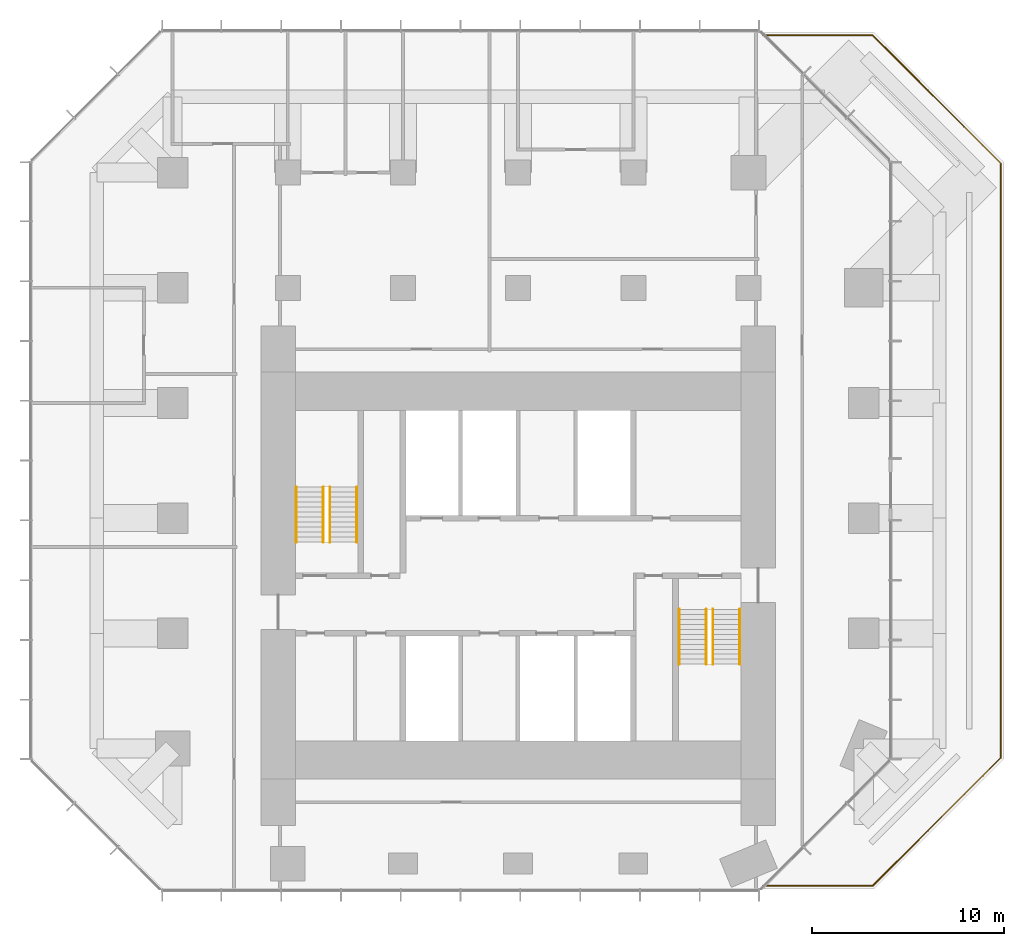
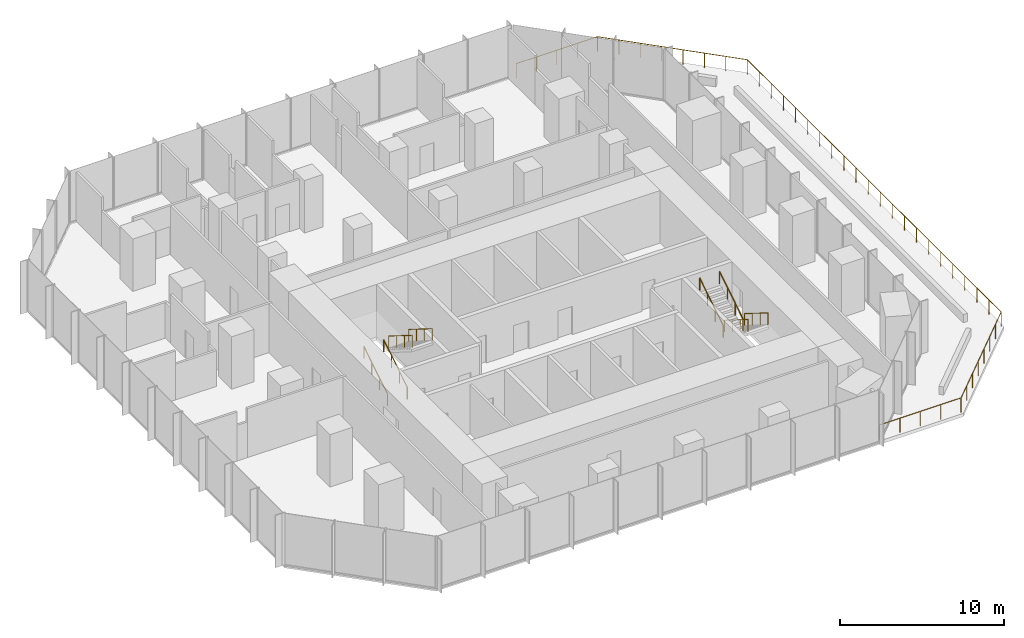
# One storey, part 11 of 11: 9 railings.
"""IFC4 building model written with IfcOpenShell, lengths in metres."""

from ifc_helpers import new_model, si_unit, direction, frame, origin, origin_2d, place, context, subcontext, project, spatial, circle, extrude, material, type_object, element, save


model = new_model("IFC4")

# Units and contexts
model_context = context("Model", 3, precision=1e-05, world=origin(), true_north=direction((0.0, 1.0)))
body_context = subcontext(model_context, "Body", "Model", "MODEL_VIEW")
ifc_project = project(units=[si_unit("LENGTHUNIT", "METRE"), si_unit("AREAUNIT", "SQUARE_METRE"), si_unit("VOLUMEUNIT", "CUBIC_METRE"), si_unit("PLANEANGLEUNIT", "RADIAN"), si_unit("MASSUNIT", "GRAM", prefix="KILO")], contexts=[model_context])

# Site, building, storey
site_placement = place(None, origin())
site = spatial("IfcSite", under=ifc_project, at=site_placement, CompositionType="ELEMENT")
building_placement = place(site_placement, origin())
building = spatial("IfcBuilding", under=site, at=building_placement, Name="Highveld Stack Headquarters", CompositionType="ELEMENT")
storey_placement = place(building_placement, frame((0.0, 0.0, 188.89990234375)))
storey = spatial("IfcBuildingStorey", under=building, at=storey_placement, Name="L46", CompositionType="ELEMENT", Elevation=188.89990234375)

# Railings
ifc_material_1 = material(Name="Stainless steel handrail", Category="steel")
railing_type_1 = type_object("IfcRailingType", Name="STAIR HANDRAIL HR1 900", PredefinedType="HANDRAIL", material=ifc_material_1)
for number, where, name in (
    (1, (-5.550048828125, 4.75, 0.16259765625), "Handrail S1 L46 flight 1"),
    (2, (-4.14990234375, 4.75, 0.16259765625), "Handrail S1 L46 flight 1"),
):
    element("IfcRailing", number, at=place(storey_placement, frame(where)), inside=storey, type_object=railing_type_1, Name=name, PredefinedType="HANDRAIL", context=body_context, shape_type="SweptSolid", body=[
        extrude(circle(Radius=0.02392578125, at=origin_2d()), frame((0.0, 0.0, 0.8759765625), z_axis=(0.0, 0.847994237388, 0.530005446535), x_axis=(-1.0, 0.0, 0.0)), (0.0, 0.0, 1.0), 3.372802734375),
        extrude(circle(Radius=0.02099609375, at=origin_2d()), origin(), (0.0, 0.0, 1.0), 0.851806640625),
        extrude(circle(Radius=0.02099609375, at=origin_2d()), frame((0.0, 0.953369140625, 0.595947265625)), (0.0, 0.0, 1.0), 0.851806640625),
        extrude(circle(Radius=0.02099609375, at=origin_2d()), frame((0.0, 1.90673828125, 1.191650390625)), (0.0, 0.0, 1.0), 0.851806640625),
        extrude(circle(Radius=0.02099609375, at=origin_2d()), frame((0.0, 2.860107421875, 1.78759765625)), (0.0, 0.0, 1.0), 0.851806640625),
    ])
for number, where, name in (
    (3, (-3.800048828125, 7.610107421875, 2.112548828125), "Handrail S1 L46 flight 2"),
    (4, (-2.39990234375, 7.610107421875, 2.112548828125), "Handrail S1 L46 flight 2"),
    (5, (16.14990234375, 1.25, 0.16259765625), "Handrail S2 L46 flight 1"),
    (6, (17.550048828125, 1.25, 0.16259765625), "Handrail S2 L46 flight 1"),
):
    element("IfcRailing", number, at=place(storey_placement, frame(where)), inside=storey, type_object=railing_type_1, Name=name, PredefinedType="HANDRAIL", context=body_context, shape_type="SweptSolid", body=[
        extrude(circle(Radius=0.02392578125, at=origin_2d()), frame((0.0, 0.0, 0.8759765625), z_axis=(0.0, -0.847994237388, 0.530005446535), x_axis=(1.0, 0.0, 0.0)), (0.0, 0.0, 1.0), 3.372802734375),
        extrude(circle(Radius=0.02099609375, at=origin_2d()), origin(), (0.0, 0.0, 1.0), 0.851806640625),
        extrude(circle(Radius=0.02099609375, at=origin_2d()), frame((0.0, -0.953369140625, 0.595947265625)), (0.0, 0.0, 1.0), 0.851806640625),
        extrude(circle(Radius=0.02099609375, at=origin_2d()), frame((0.0, -1.90673828125, 1.191650390625)), (0.0, 0.0, 1.0), 0.851806640625),
        extrude(circle(Radius=0.02099609375, at=origin_2d()), frame((0.0, -2.860107421875, 1.78759765625)), (0.0, 0.0, 1.0), 0.851806640625),
    ])
for number, where, name in (
    (7, (14.39990234375, -1.610107421875, 2.112548828125), "Handrail S2 L46 flight 2"),
    (8, (15.800048828125, -1.610107421875, 2.112548828125), "Handrail S2 L46 flight 2"),
):
    element("IfcRailing", number, at=place(storey_placement, frame(where)), inside=storey, type_object=railing_type_1, Name=name, PredefinedType="HANDRAIL", context=body_context, shape_type="SweptSolid", body=[
        extrude(circle(Radius=0.02392578125, at=origin_2d()), frame((0.0, 0.0, 0.8759765625), z_axis=(0.0, 0.847994237388, 0.530005446535), x_axis=(-1.0, 0.0, 0.0)), (0.0, 0.0, 1.0), 3.372802734375),
        extrude(circle(Radius=0.02099609375, at=origin_2d()), origin(), (0.0, 0.0, 1.0), 0.851806640625),
        extrude(circle(Radius=0.02099609375, at=origin_2d()), frame((0.0, 0.953369140625, 0.595947265625)), (0.0, 0.0, 1.0), 0.851806640625),
        extrude(circle(Radius=0.02099609375, at=origin_2d()), frame((0.0, 1.90673828125, 1.191650390625)), (0.0, 0.0, 1.0), 0.851806640625),
        extrude(circle(Radius=0.02099609375, at=origin_2d()), frame((0.0, 2.860107421875, 1.78759765625)), (0.0, 0.0, 1.0), 0.851806640625),
    ])
ifc_material_2 = material(Name="Laminated glass balustrade with bronze handrail", Category="glass")
railing_type_2 = type_object("IfcRailingType", Name="TERRACE GUARD GR1 1100 GLASS", PredefinedType="GUARDRAIL", material=ifc_material_2)
railing_placement = place(storey_placement, frame((18.75048828125, 31.14990234375, 0.0)))
element("IfcRailing", 9, at=railing_placement, inside=storey, type_object=railing_type_2, Name="Terrace guard L46 1", PredefinedType="GUARDRAIL", context=body_context, shape_type="SweptSolid", body=[
    extrude(circle(Radius=0.02392578125, at=origin_2d()), frame((0.0, 0.0, 1.076171875), z_axis=(1.0, 0.0, 0.0), x_axis=(0.0, 1.0, 0.0)), (0.0, 0.0, 1.0), 5.725830078125),
    extrude(circle(Radius=0.02392578125, at=origin_2d()), frame((5.725830078125, 0.0, 1.076171875), z_axis=(0.707106781187, -0.707106781187, 0.0), x_axis=(0.707106781187, 0.707106781187, 0.0)), (0.0, 0.0, 1.0), 9.43798828125),
    extrude(circle(Radius=0.02392578125, at=origin_2d()), frame((12.3994140625, -6.673583984375, 1.076171875), z_axis=(0.0, -1.0, 0.0), x_axis=(1.0, 0.0, 0.0)), (0.0, 0.0, 1.0), 30.95263671875),
    extrude(circle(Radius=0.02392578125, at=origin_2d()), frame((12.3994140625, -37.626220703125, 1.076171875), z_axis=(-0.707106781187, -0.707106781187, 0.0), x_axis=(0.707106781187, -0.707106781187, 0.0)), (0.0, 0.0, 1.0), 9.43798828125),
    extrude(circle(Radius=0.02392578125, at=origin_2d()), frame((5.725830078125, -44.2998046875, 1.076171875), z_axis=(-1.0, 0.0, 0.0), x_axis=(0.0, -1.0, 0.0)), (0.0, 0.0, 1.0), 5.725830078125),
    extrude(circle(Radius=0.02099609375, at=origin_2d()), origin(), (0.0, 0.0, 1.0), 1.052001953125),
    extrude(circle(Radius=0.02099609375, at=origin_2d()), frame((1.431396484375, 0.0, 0.0)), (0.0, 0.0, 1.0), 1.052001953125),
    extrude(circle(Radius=0.02099609375, at=origin_2d()), frame((2.86279296875, 0.0, 0.0)), (0.0, 0.0, 1.0), 1.052001953125),
    extrude(circle(Radius=0.02099609375, at=origin_2d()), frame((4.29443359375, 0.0, 0.0)), (0.0, 0.0, 1.0), 1.052001953125),
    extrude(circle(Radius=0.02099609375, at=origin_2d()), frame((5.725830078125, 0.0, 0.0)), (0.0, 0.0, 1.0), 1.052001953125),
    extrude(circle(Radius=0.02099609375, at=origin_2d()), frame((6.67919921875, -0.953369140625, 0.0)), (0.0, 0.0, 1.0), 1.052001953125),
    extrude(circle(Radius=0.02099609375, at=origin_2d()), frame((7.632568359375, -1.90673828125, 0.0)), (0.0, 0.0, 1.0), 1.052001953125),
    extrude(circle(Radius=0.02099609375, at=origin_2d()), frame((8.5859375, -2.860107421875, 0.0)), (0.0, 0.0, 1.0), 1.052001953125),
    extrude(circle(Radius=0.02099609375, at=origin_2d()), frame((9.539306640625, -3.8134765625, 0.0)), (0.0, 0.0, 1.0), 1.052001953125),
    extrude(circle(Radius=0.02099609375, at=origin_2d()), frame((10.49267578125, -4.766845703125, 0.0)), (0.0, 0.0, 1.0), 1.052001953125),
    extrude(circle(Radius=0.02099609375, at=origin_2d()), frame((11.446044921875, -5.72021484375, 0.0)), (0.0, 0.0, 1.0), 1.052001953125),
    extrude(circle(Radius=0.02099609375, at=origin_2d()), frame((12.3994140625, -6.673583984375, 0.0)), (0.0, 0.0, 1.0), 1.052001953125),
    extrude(circle(Radius=0.02099609375, at=origin_2d()), frame((12.3994140625, -8.1474609375, 0.0)), (0.0, 0.0, 1.0), 1.052001953125),
    extrude(circle(Radius=0.02099609375, at=origin_2d()), frame((12.3994140625, -9.621337890625, 0.0)), (0.0, 0.0, 1.0), 1.052001953125),
    extrude(circle(Radius=0.02099609375, at=origin_2d()), frame((12.3994140625, -11.095458984375, 0.0)), (0.0, 0.0, 1.0), 1.052001953125),
    extrude(circle(Radius=0.02099609375, at=origin_2d()), frame((12.3994140625, -12.5693359375, 0.0)), (0.0, 0.0, 1.0), 1.052001953125),
    extrude(circle(Radius=0.02099609375, at=origin_2d()), frame((12.3994140625, -14.043212890625, 0.0)), (0.0, 0.0, 1.0), 1.052001953125),
    extrude(circle(Radius=0.02099609375, at=origin_2d()), frame((12.3994140625, -15.51708984375, 0.0)), (0.0, 0.0, 1.0), 1.052001953125),
    extrude(circle(Radius=0.02099609375, at=origin_2d()), frame((12.3994140625, -16.9912109375, 0.0)), (0.0, 0.0, 1.0), 1.052001953125),
    extrude(circle(Radius=0.02099609375, at=origin_2d()), frame((12.3994140625, -18.465087890625, 0.0)), (0.0, 0.0, 1.0), 1.052001953125),
    extrude(circle(Radius=0.02099609375, at=origin_2d()), frame((12.3994140625, -19.93896484375, 0.0)), (0.0, 0.0, 1.0), 1.052001953125),
    extrude(circle(Radius=0.02099609375, at=origin_2d()), frame((12.3994140625, -21.412841796875, 0.0)), (0.0, 0.0, 1.0), 1.052001953125),
    extrude(circle(Radius=0.02099609375, at=origin_2d()), frame((12.3994140625, -22.886962890625, 0.0)), (0.0, 0.0, 1.0), 1.052001953125),
    extrude(circle(Radius=0.02099609375, at=origin_2d()), frame((12.3994140625, -24.36083984375, 0.0)), (0.0, 0.0, 1.0), 1.052001953125),
    extrude(circle(Radius=0.02099609375, at=origin_2d()), frame((12.3994140625, -25.834716796875, 0.0)), (0.0, 0.0, 1.0), 1.052001953125),
    extrude(circle(Radius=0.02099609375, at=origin_2d()), frame((12.3994140625, -27.30859375, 0.0)), (0.0, 0.0, 1.0), 1.052001953125),
    extrude(circle(Radius=0.02099609375, at=origin_2d()), frame((12.3994140625, -28.78271484375, 0.0)), (0.0, 0.0, 1.0), 1.052001953125),
    extrude(circle(Radius=0.02099609375, at=origin_2d()), frame((12.3994140625, -30.256591796875, 0.0)), (0.0, 0.0, 1.0), 1.052001953125),
    extrude(circle(Radius=0.02099609375, at=origin_2d()), frame((12.3994140625, -31.73046875, 0.0)), (0.0, 0.0, 1.0), 1.052001953125),
    extrude(circle(Radius=0.02099609375, at=origin_2d()), frame((12.3994140625, -33.204345703125, 0.0)), (0.0, 0.0, 1.0), 1.052001953125),
    extrude(circle(Radius=0.02099609375, at=origin_2d()), frame((12.3994140625, -34.678466796875, 0.0)), (0.0, 0.0, 1.0), 1.052001953125),
    extrude(circle(Radius=0.02099609375, at=origin_2d()), frame((12.3994140625, -36.15234375, 0.0)), (0.0, 0.0, 1.0), 1.052001953125),
    extrude(circle(Radius=0.02099609375, at=origin_2d()), frame((12.3994140625, -37.626220703125, 0.0)), (0.0, 0.0, 1.0), 1.052001953125),
    extrude(circle(Radius=0.02099609375, at=origin_2d()), frame((11.446044921875, -38.57958984375, 0.0)), (0.0, 0.0, 1.0), 1.052001953125),
    extrude(circle(Radius=0.02099609375, at=origin_2d()), frame((10.49267578125, -39.532958984375, 0.0)), (0.0, 0.0, 1.0), 1.052001953125),
    extrude(circle(Radius=0.02099609375, at=origin_2d()), frame((9.539306640625, -40.486328125, 0.0)), (0.0, 0.0, 1.0), 1.052001953125),
    extrude(circle(Radius=0.02099609375, at=origin_2d()), frame((8.5859375, -41.439697265625, 0.0)), (0.0, 0.0, 1.0), 1.052001953125),
    extrude(circle(Radius=0.02099609375, at=origin_2d()), frame((7.632568359375, -42.39306640625, 0.0)), (0.0, 0.0, 1.0), 1.052001953125),
    extrude(circle(Radius=0.02099609375, at=origin_2d()), frame((6.67919921875, -43.346435546875, 0.0)), (0.0, 0.0, 1.0), 1.052001953125),
    extrude(circle(Radius=0.02099609375, at=origin_2d()), frame((5.725830078125, -44.2998046875, 0.0)), (0.0, 0.0, 1.0), 1.052001953125),
    extrude(circle(Radius=0.02099609375, at=origin_2d()), frame((4.29443359375, -44.2998046875, 0.0)), (0.0, 0.0, 1.0), 1.052001953125),
    extrude(circle(Radius=0.02099609375, at=origin_2d()), frame((2.86279296875, -44.2998046875, 0.0)), (0.0, 0.0, 1.0), 1.052001953125),
    extrude(circle(Radius=0.02099609375, at=origin_2d()), frame((1.431396484375, -44.2998046875, 0.0)), (0.0, 0.0, 1.0), 1.052001953125),
    extrude(circle(Radius=0.02099609375, at=origin_2d()), frame((0.0, -44.2998046875, 0.0)), (0.0, 0.0, 1.0), 1.052001953125),
])

save(model, "model.ifc")
